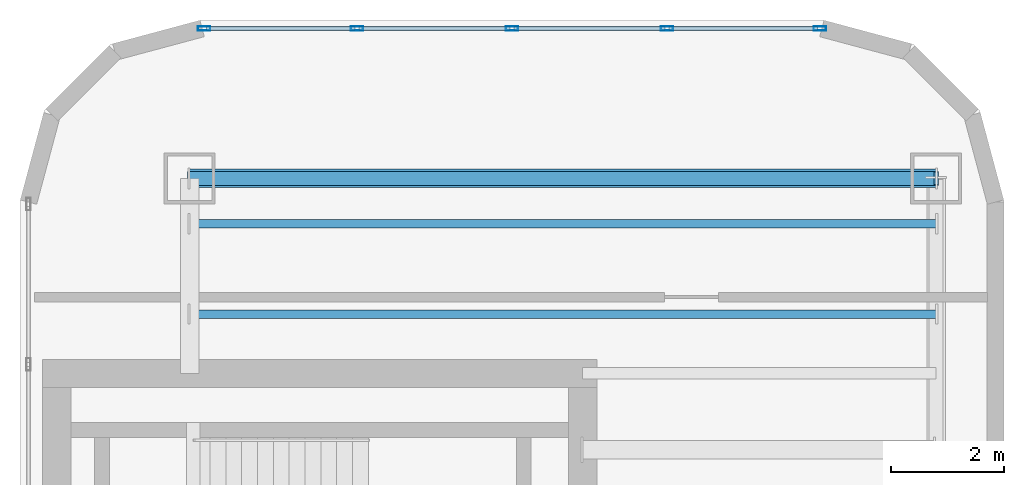
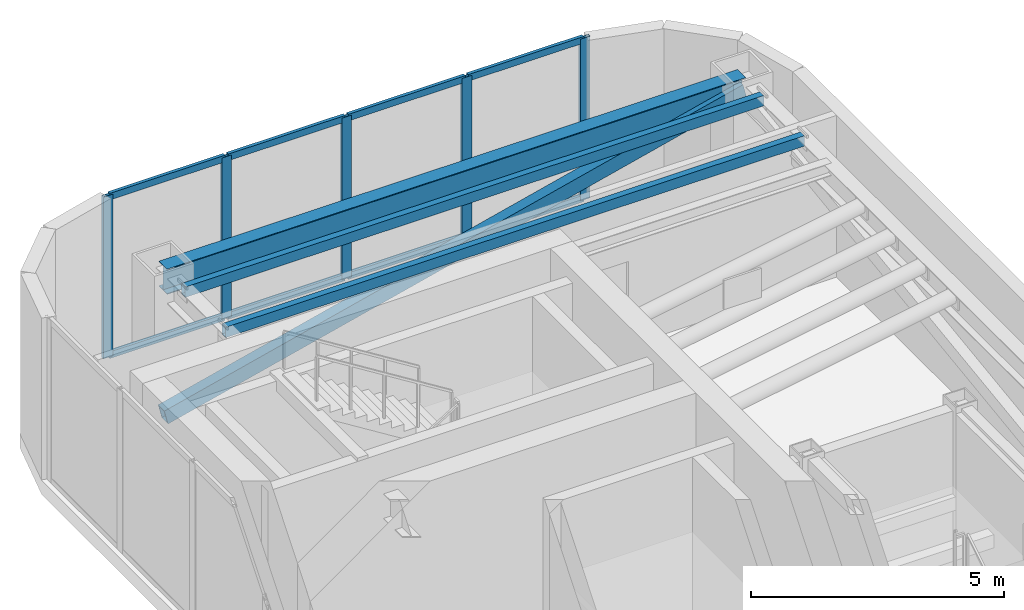
# One storey, part 6 of 9: 16 members, 1 beam, 1 element without a shape of its own.
"""IFC4 building model written with IfcOpenShell, lengths in metres."""

from ifc_helpers import new_model, si_unit, direction, frame, origin, origin_2d, place, context, subcontext, project, spatial, hollow_rectangle, i_section, extrude, material, layer, layer_set, material_profile, profile_set, type_object, element, aggregate, save


model = new_model("IFC4")

# Units and contexts
model_context = context("Model", 3, precision=1e-05, world=origin(), true_north=direction((0.0, 1.0)))
body_context = subcontext(model_context, "Body", "Model", "MODEL_VIEW")
ifc_project = project(units=[si_unit("LENGTHUNIT", "METRE"), si_unit("AREAUNIT", "SQUARE_METRE"), si_unit("VOLUMEUNIT", "CUBIC_METRE"), si_unit("PLANEANGLEUNIT", "RADIAN"), si_unit("MASSUNIT", "GRAM", prefix="KILO")], contexts=[model_context])

# Site, building, storey
site_placement = place(None, origin())
site = spatial("IfcSite", under=ifc_project, at=site_placement, CompositionType="ELEMENT")
building_placement = place(site_placement, origin())
building = spatial("IfcBuilding", under=site, at=building_placement, Name="Kiyonajd Concourse Tower", CompositionType="ELEMENT")
storey_placement = place(building_placement, frame((0.0, 0.0, 372.89990234375)))
storey = spatial("IfcBuildingStorey", under=building, at=storey_placement, Name="L93", CompositionType="ELEMENT", Elevation=372.89990234375)

# Beam
ifc_material_1 = material(Name="Steel ASTM A992 Grade 50", Category="steel")
ifc_material_profile_1 = material_profile(ifc_material_1, i_section(OverallWidth=0.323974609375, OverallDepth=0.611083984375, WebThickness=0.0126953125, FlangeThickness=0.01904296875, at=origin_2d()), Name="W610X155")
ifc_profile_set_1 = profile_set([ifc_material_profile_1], Name="Steel ASTM A992 Grade 50")
beam_type = type_object("IfcBeamType", Name="BM-TWR-610B", PredefinedType="BEAM", material=ifc_profile_set_1)
beam_placement = place(storey_placement, frame((69.60009765625, 47.60009765625, 3.594482421875), z_axis=(-1.0, 0.0, 0.0), x_axis=(0.0, -1.0, 0.0)))
element("IfcBeam", 1, at=beam_placement, inside=storey, type_object=beam_type, Name="L93 E Crown Ring Beam 3", PredefinedType="BEAM", context=body_context, shape_type="SweptSolid", body=[
    extrude(i_section(OverallWidth=0.323974609375, OverallDepth=0.611083984375, WebThickness=0.0126953125, FlangeThickness=0.01904296875, at=origin_2d()), origin(), (0.0, 0.0, 1.0), 13.2001953125),
])

# Members
ifc_material_2 = material(Name="Steel ASTM A500 Grade C", Category="steel")
ifc_material_profile_2 = material_profile(ifc_material_2, hollow_rectangle(XDim=0.25, YDim=0.35009765625, WallThickness=0.01611328125, at=origin_2d()), Name="HSS-350x250x16")
ifc_profile_set_2 = profile_set([ifc_material_profile_2], Name="Steel ASTM A500 Grade C")
member_type_1 = type_object("IfcMemberType", Name="MB-CRN-BRC", PredefinedType="BRACE", material=ifc_profile_set_2)
member_1_placement = place(storey_placement, frame((56.39990234375, 47.60009765625, 0.300048828125), z_axis=(0.971002565711, 0.0, 0.239069064044), x_axis=(0.0, 1.0, 0.0)))
element("IfcMember", 2, at=member_1_placement, inside=storey, type_object=member_type_1, Name="L93 E Crown Wind Brace 1", PredefinedType="BRACE", context=body_context, shape_type="SweptSolid", body=[
    extrude(hollow_rectangle(XDim=0.25, YDim=0.35009765625, WallThickness=0.01611328125, at=origin_2d()), origin(), (0.0, 0.0, 1.0), 13.594482421875),
])
ifc_material_profile_3 = material_profile(ifc_material_2, hollow_rectangle(XDim=0.14990234375, YDim=0.25, WallThickness=0.011962890625, at=origin_2d()), Name="HSS-250x150x12")
ifc_profile_set_3 = profile_set([ifc_material_profile_3], Name="Steel ASTM A500 Grade C")
member_type_2 = type_object("IfcMemberType", Name="MB-CRN-PURL", PredefinedType="PURLIN", material=ifc_profile_set_3)
for number, where, z_axis, x_axis, name in (
    (3, (56.39990234375, 45.199951171875, 3.775146484375), (1.0, 0.0, 0.0), (0.0, 1.0, 0.0), "L93 E Crown Roof Purlin 3"),
    (4, (56.39990234375, 46.800048828125, 3.775146484375), (1.0, 0.0, 0.0), (0.0, 1.0, 0.0), "L93 E Crown Roof Purlin 4"),
):
    element("IfcMember", number, at=place(storey_placement, frame(where, z_axis=z_axis, x_axis=x_axis)), inside=storey, type_object=member_type_2, Name=name, PredefinedType="PURLIN", context=body_context, shape_type="SweptSolid", body=[
        extrude(hollow_rectangle(XDim=0.14990234375, YDim=0.25, WallThickness=0.011962890625, at=origin_2d()), origin(), (0.0, 0.0, 1.0), 13.2001953125),
    ])

# Curtain wall, members
ifc_material_3 = material(Name="Thermally Broken Anodised Aluminium", Category="aluminium")
ifc_layer = layer(ifc_material_3, 0.179931640625)
ifc_layer_set = layer_set([ifc_layer], Name="Thermally Broken Anodised Aluminium")
curtain_wall_type = type_object("IfcCurtainWallType", Name="CW-SYS-06", PredefinedType="NOTDEFINED", material=ifc_layer_set)
curtain_wall_placement = place(storey_placement, origin())
curtain_wall = element("IfcCurtainWall", 5, at=curtain_wall_placement, inside=storey, type_object=curtain_wall_type, Name="L93 Unitised Curtain Wall CW6", PredefinedType="NOTDEFINED")
ifc_material_profile_4 = material_profile(ifc_material_3, hollow_rectangle(XDim=0.074951171875, YDim=0.219970703125, WallThickness=0.0048828125, at=origin_2d()), Name="MULL-75x220")
ifc_profile_set_4 = profile_set([ifc_material_profile_4], Name="Thermally Broken Anodised Aluminium")
member_type_3 = type_object("IfcMemberType", Name="MB-CW-MULL2", PredefinedType="MULLION", material=ifc_profile_set_4)
member_2_placement = place(storey_placement, frame((56.6572265625, 50.25, 0.0), z_axis=(0.0, 0.0, 1.0), x_axis=(0.0, 1.0, 0.0)))
member_2 = element("IfcMember", 6, at=member_2_placement, type_object=member_type_3, Name="CW6 mullion 1", PredefinedType="MULLION", context=body_context, shape_type="SweptSolid", body=[
    extrude(hollow_rectangle(XDim=0.074951171875, YDim=0.219970703125, WallThickness=0.0048828125, at=origin_2d()), origin(), (0.0, 0.0, 1.0), 3.900146484375),
])
member_3_placement = place(storey_placement, frame((59.35986328125, 50.25, 0.0), z_axis=(0.0, 0.0, 1.0), x_axis=(0.0, 1.0, 0.0)))
member_3 = element("IfcMember", 7, at=member_3_placement, type_object=member_type_3, Name="CW6 mullion 2", PredefinedType="MULLION", context=body_context, shape_type="SweptSolid", body=[
    extrude(hollow_rectangle(XDim=0.074951171875, YDim=0.219970703125, WallThickness=0.0048828125, at=origin_2d()), origin(), (0.0, 0.0, 1.0), 3.900146484375),
])
member_4_placement = place(storey_placement, frame((62.10009765625, 50.25, 0.0), z_axis=(0.0, 0.0, 1.0), x_axis=(0.0, 1.0, 0.0)))
member_4 = element("IfcMember", 8, at=member_4_placement, type_object=member_type_3, Name="CW6 mullion 3", PredefinedType="MULLION", context=body_context, shape_type="SweptSolid", body=[
    extrude(hollow_rectangle(XDim=0.074951171875, YDim=0.219970703125, WallThickness=0.0048828125, at=origin_2d()), origin(), (0.0, 0.0, 1.0), 3.900146484375),
])
member_5_placement = place(storey_placement, frame((64.840087890625, 50.25, 0.0), z_axis=(0.0, 0.0, 1.0), x_axis=(0.0, 1.0, 0.0)))
member_5 = element("IfcMember", 9, at=member_5_placement, type_object=member_type_3, Name="CW6 mullion 4", PredefinedType="MULLION", context=body_context, shape_type="SweptSolid", body=[
    extrude(hollow_rectangle(XDim=0.074951171875, YDim=0.219970703125, WallThickness=0.0048828125, at=origin_2d()), origin(), (0.0, 0.0, 1.0), 3.900146484375),
])
member_6_placement = place(storey_placement, frame((67.542724609375, 50.25, 0.0), z_axis=(0.0, 0.0, 1.0), x_axis=(0.0, 1.0, 0.0)))
member_6 = element("IfcMember", 10, at=member_6_placement, type_object=member_type_3, Name="CW6 mullion 5", PredefinedType="MULLION", context=body_context, shape_type="SweptSolid", body=[
    extrude(hollow_rectangle(XDim=0.074951171875, YDim=0.219970703125, WallThickness=0.0048828125, at=origin_2d()), origin(), (0.0, 0.0, 1.0), 3.900146484375),
])
ifc_material_profile_5 = material_profile(ifc_material_3, hollow_rectangle(XDim=0.074951171875, YDim=0.159912109375, WallThickness=0.0048828125, at=origin_2d()), Name="TRAN-75x160")
ifc_profile_set_5 = profile_set([ifc_material_profile_5], Name="Thermally Broken Anodised Aluminium")
member_type_4 = type_object("IfcMemberType", Name="MB-CW-TRAN2", PredefinedType="USERDEFINED", material=ifc_profile_set_5)
member_7_placement = place(storey_placement, frame((56.69482421875, 50.25, 0.03759765625), z_axis=(1.0, 0.0, 0.0), x_axis=(0.0, 1.0, 0.0)))
member_7 = element("IfcMember", 11, at=member_7_placement, type_object=member_type_4, Name="CW6 transom 1.1", ObjectType="TRANSOM", PredefinedType="USERDEFINED", context=body_context, shape_type="SweptSolid", body=[
    extrude(hollow_rectangle(XDim=0.074951171875, YDim=0.159912109375, WallThickness=0.0048828125, at=origin_2d()), origin(), (0.0, 0.0, 1.0), 2.627685546875),
])
member_8_placement = place(storey_placement, frame((56.69482421875, 50.25, 3.862548828125), z_axis=(1.0, 0.0, 0.0), x_axis=(0.0, 1.0, 0.0)))
member_8 = element("IfcMember", 12, at=member_8_placement, type_object=member_type_4, Name="CW6 transom 1.2", ObjectType="TRANSOM", PredefinedType="USERDEFINED", context=body_context, shape_type="SweptSolid", body=[
    extrude(hollow_rectangle(XDim=0.074951171875, YDim=0.159912109375, WallThickness=0.0048828125, at=origin_2d()), origin(), (0.0, 0.0, 1.0), 2.627685546875),
])
member_9_placement = place(storey_placement, frame((59.3974609375, 50.25, 0.03759765625), z_axis=(1.0, 0.0, 0.0), x_axis=(0.0, 1.0, 0.0)))
member_9 = element("IfcMember", 13, at=member_9_placement, type_object=member_type_4, Name="CW6 transom 2.1", ObjectType="TRANSOM", PredefinedType="USERDEFINED", context=body_context, shape_type="SweptSolid", body=[
    extrude(hollow_rectangle(XDim=0.074951171875, YDim=0.159912109375, WallThickness=0.0048828125, at=origin_2d()), origin(), (0.0, 0.0, 1.0), 2.6650390625),
])
member_10_placement = place(storey_placement, frame((59.3974609375, 50.25, 3.862548828125), z_axis=(1.0, 0.0, 0.0), x_axis=(0.0, 1.0, 0.0)))
member_10 = element("IfcMember", 14, at=member_10_placement, type_object=member_type_4, Name="CW6 transom 2.2", ObjectType="TRANSOM", PredefinedType="USERDEFINED", context=body_context, shape_type="SweptSolid", body=[
    extrude(hollow_rectangle(XDim=0.074951171875, YDim=0.159912109375, WallThickness=0.0048828125, at=origin_2d()), origin(), (0.0, 0.0, 1.0), 2.6650390625),
])
member_11_placement = place(storey_placement, frame((62.137451171875, 50.25, 0.03759765625), z_axis=(1.0, 0.0, 0.0), x_axis=(0.0, 1.0, 0.0)))
member_11 = element("IfcMember", 15, at=member_11_placement, type_object=member_type_4, Name="CW6 transom 3.1", ObjectType="TRANSOM", PredefinedType="USERDEFINED", context=body_context, shape_type="SweptSolid", body=[
    extrude(hollow_rectangle(XDim=0.074951171875, YDim=0.159912109375, WallThickness=0.0048828125, at=origin_2d()), origin(), (0.0, 0.0, 1.0), 2.6650390625),
])
member_12_placement = place(storey_placement, frame((62.137451171875, 50.25, 3.862548828125), z_axis=(1.0, 0.0, 0.0), x_axis=(0.0, 1.0, 0.0)))
member_12 = element("IfcMember", 16, at=member_12_placement, type_object=member_type_4, Name="CW6 transom 3.2", ObjectType="TRANSOM", PredefinedType="USERDEFINED", context=body_context, shape_type="SweptSolid", body=[
    extrude(hollow_rectangle(XDim=0.074951171875, YDim=0.159912109375, WallThickness=0.0048828125, at=origin_2d()), origin(), (0.0, 0.0, 1.0), 2.6650390625),
])
member_13_placement = place(storey_placement, frame((64.877685546875, 50.25, 0.03759765625), z_axis=(1.0, 0.0, 0.0), x_axis=(0.0, 1.0, 0.0)))
member_13 = element("IfcMember", 17, at=member_13_placement, type_object=member_type_4, Name="CW6 transom 4.1", ObjectType="TRANSOM", PredefinedType="USERDEFINED", context=body_context, shape_type="SweptSolid", body=[
    extrude(hollow_rectangle(XDim=0.074951171875, YDim=0.159912109375, WallThickness=0.0048828125, at=origin_2d()), origin(), (0.0, 0.0, 1.0), 2.62744140625),
])
member_14_placement = place(storey_placement, frame((64.877685546875, 50.25, 3.862548828125), z_axis=(1.0, 0.0, 0.0), x_axis=(0.0, 1.0, 0.0)))
member_14 = element("IfcMember", 18, at=member_14_placement, type_object=member_type_4, Name="CW6 transom 4.2", ObjectType="TRANSOM", PredefinedType="USERDEFINED", context=body_context, shape_type="SweptSolid", body=[
    extrude(hollow_rectangle(XDim=0.074951171875, YDim=0.159912109375, WallThickness=0.0048828125, at=origin_2d()), origin(), (0.0, 0.0, 1.0), 2.62744140625),
])
aggregate(curtain_wall, [member_2, member_3, member_4, member_5, member_6, member_7, member_8, member_9, member_10, member_11, member_12, member_13, member_14])

save(model, "model.ifc")
